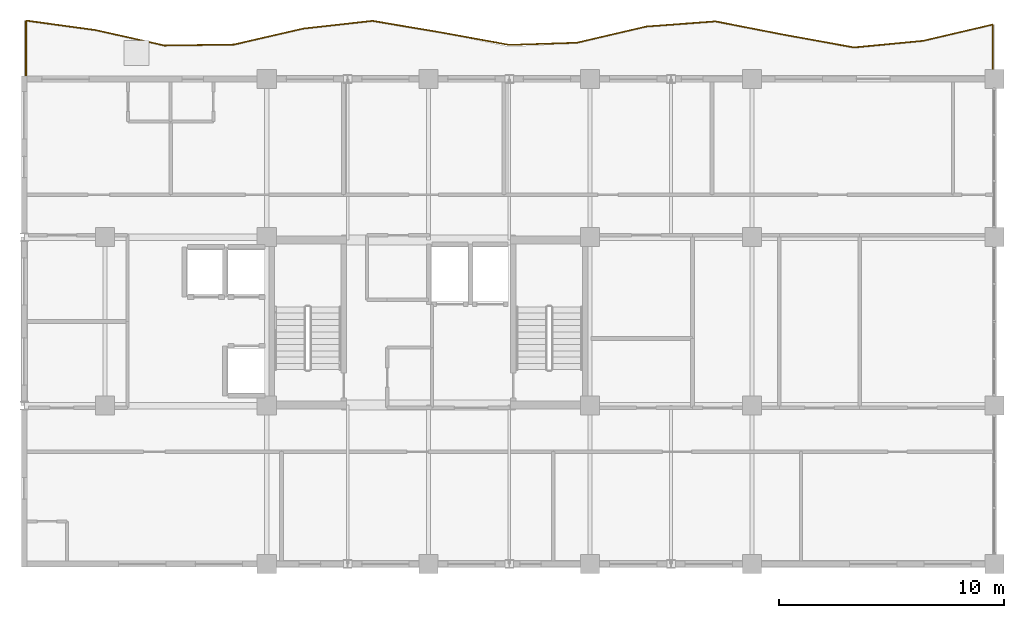
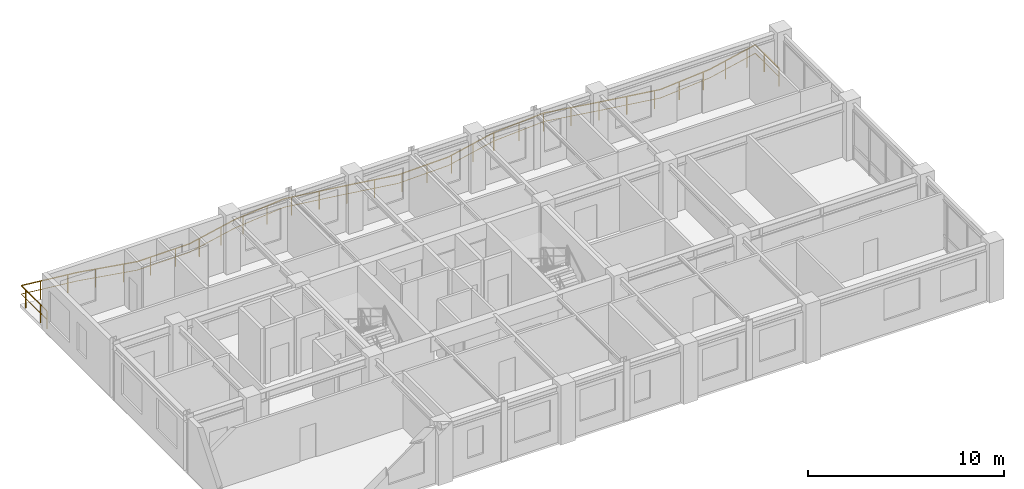
# One storey, part 11 of 11: 1 railing.
"""IFC4 building model written with IfcOpenShell, lengths in metres."""

from ifc_helpers import new_model, si_unit, direction, frame, origin, origin_2d, place, context, subcontext, project, spatial, rectangle, extrude, material, type_object, element, save


model = new_model("IFC4")

# Units and contexts
model_context = context("Model", 3, precision=1e-05, world=origin(), true_north=direction((0.0, 1.0)))
body_context = subcontext(model_context, "Body", "Model", "MODEL_VIEW")
ifc_project = project(units=[si_unit("LENGTHUNIT", "METRE"), si_unit("AREAUNIT", "SQUARE_METRE"), si_unit("VOLUMEUNIT", "CUBIC_METRE"), si_unit("PLANEANGLEUNIT", "RADIAN"), si_unit("MASSUNIT", "GRAM", prefix="KILO")], contexts=[model_context])

# Site, building, storey
site_placement = place(None, origin())
site = spatial("IfcSite", under=ifc_project, at=site_placement, CompositionType="ELEMENT")
building_placement = place(site_placement, origin())
building = spatial("IfcBuilding", under=site, at=building_placement, Name="Kaliganga Portal Commons", CompositionType="ELEMENT")
storey_placement = place(building_placement, frame((0.0, 0.0, 268.39990234375)))
storey = spatial("IfcBuildingStorey", under=building, at=storey_placement, Name="L69", CompositionType="ELEMENT", Elevation=268.39990234375)

# Railing
ifc_material = material(Name="Laminated Safety Glass and Stainless Steel 316", Category="steel")
railing_type = type_object("IfcRailingType", Name="RLG-BAL-1150", PredefinedType="BALUSTRADE", material=ifc_material)
railing_placement = place(storey_placement, frame((46.72021484375, 43.20654296875, 0.0)))
element("IfcRailing", 1, at=railing_placement, inside=storey, type_object=railing_type, Name="Balcony Guardrail L69 balc_north", PredefinedType="BALUSTRADE", context=body_context, shape_type="SweptSolid", body=[
    extrude(rectangle(XDim=0.048095703125, YDim=0.048095703125, at=origin_2d()), frame((0.0, 0.0, 1.1259765625), z_axis=(-0.00010119409, 0.99999999488, 0.0), x_axis=(-0.99999999488, -0.00010119409, 0.0)), (0.0, 0.0, 1.0), 2.41259765625),
    extrude(rectangle(XDim=0.028076171875, YDim=0.028076171875, at=origin_2d()), frame((0.0, 0.0, 0.597900390625), z_axis=(-0.00010119409, 0.99999999488, 0.0), x_axis=(-0.99999999488, -0.00010119409, 0.0)), (0.0, 0.0, 1.0), 2.41259765625),
    extrude(rectangle(XDim=0.048095703125, YDim=0.048095703125, at=origin_2d()), frame((-0.000244140625, 2.41259765625, 1.1259765625), z_axis=(-0.973586620421, -0.228317963678, 0.0), x_axis=(0.228317963678, -0.973586620421, 0.0)), (0.0, 0.0, 1.0), 3.16943359375),
    extrude(rectangle(XDim=0.028076171875, YDim=0.028076171875, at=origin_2d()), frame((-0.000244140625, 2.41259765625, 0.597900390625), z_axis=(-0.973586620421, -0.228317963678, 0.0), x_axis=(0.228317963678, -0.973586620421, 0.0)), (0.0, 0.0, 1.0), 3.16943359375),
    extrude(rectangle(XDim=0.048095703125, YDim=0.048095703125, at=origin_2d()), frame((-3.0859375, 1.68896484375, 1.1259765625), z_axis=(-0.995441151966, -0.095377738352, 0.0), x_axis=(0.095377738352, -0.995441151966, 0.0)), (0.0, 0.0, 1.0), 3.099853515625),
    extrude(rectangle(XDim=0.028076171875, YDim=0.028076171875, at=origin_2d()), frame((-3.0859375, 1.68896484375, 0.597900390625), z_axis=(-0.995441151966, -0.095377738352, 0.0), x_axis=(0.095377738352, -0.995441151966, 0.0)), (0.0, 0.0, 1.0), 3.099853515625),
    extrude(rectangle(XDim=0.048095703125, YDim=0.048095703125, at=origin_2d()), frame((-6.171630859375, 1.393310546875, 1.1259765625), z_axis=(-0.983938345407, 0.178508634071, 0.0), x_axis=(-0.178508634071, -0.983938345407, 0.0)), (0.0, 0.0, 1.0), 3.135986328125),
    extrude(rectangle(XDim=0.028076171875, YDim=0.028076171875, at=origin_2d()), frame((-6.171630859375, 1.393310546875, 0.597900390625), z_axis=(-0.983938345407, 0.178508634071, 0.0), x_axis=(-0.178508634071, -0.983938345407, 0.0)), (0.0, 0.0, 1.0), 3.135986328125),
    extrude(rectangle(XDim=0.048095703125, YDim=0.048095703125, at=origin_2d()), frame((-9.25732421875, 1.953125, 1.1259765625), z_axis=(-0.981548229845, 0.191214728745, 0.0), x_axis=(-0.191214728745, -0.981548229845, 0.0)), (0.0, 0.0, 1.0), 3.1435546875),
    extrude(rectangle(XDim=0.028076171875, YDim=0.028076171875, at=origin_2d()), frame((-9.25732421875, 1.953125, 0.597900390625), z_axis=(-0.981548229845, 0.191214728745, 0.0), x_axis=(-0.191214728745, -0.981548229845, 0.0)), (0.0, 0.0, 1.0), 3.1435546875),
    extrude(rectangle(XDim=0.048095703125, YDim=0.048095703125, at=origin_2d()), frame((-12.3427734375, 2.55419921875, 1.1259765625), z_axis=(-0.997228216015, -0.07440352937, 0.0), x_axis=(0.07440352937, -0.997228216015, 0.0)), (0.0, 0.0, 1.0), 3.09423828125),
    extrude(rectangle(XDim=0.028076171875, YDim=0.028076171875, at=origin_2d()), frame((-12.3427734375, 2.55419921875, 0.597900390625), z_axis=(-0.997228216015, -0.07440352937, 0.0), x_axis=(0.07440352937, -0.997228216015, 0.0)), (0.0, 0.0, 1.0), 3.09423828125),
    extrude(rectangle(XDim=0.048095703125, YDim=0.048095703125, at=origin_2d()), frame((-15.428466796875, 2.323974609375, 1.1259765625), z_axis=(-0.973744521391, -0.227643596575, 0.0), x_axis=(0.227643596575, -0.973744521391, 0.0)), (0.0, 0.0, 1.0), 3.169189453125),
    extrude(rectangle(XDim=0.028076171875, YDim=0.028076171875, at=origin_2d()), frame((-15.428466796875, 2.323974609375, 0.597900390625), z_axis=(-0.973744521391, -0.227643596575, 0.0), x_axis=(0.227643596575, -0.973744521391, 0.0)), (0.0, 0.0, 1.0), 3.169189453125),
    extrude(rectangle(XDim=0.048095703125, YDim=0.048095703125, at=origin_2d()), frame((-18.514404296875, 1.6025390625, 1.1259765625), z_axis=(-0.999480536184, -0.03222821417, 0.0), x_axis=(0.03222821417, -0.999480536184, 0.0)), (0.0, 0.0, 1.0), 3.00732421875),
    extrude(rectangle(XDim=0.028076171875, YDim=0.028076171875, at=origin_2d()), frame((-18.514404296875, 1.6025390625, 0.597900390625), z_axis=(-0.999480536184, -0.03222821417, 0.0), x_axis=(0.03222821417, -0.999480536184, 0.0)), (0.0, 0.0, 1.0), 3.00732421875),
    extrude(rectangle(XDim=0.048095703125, YDim=0.048095703125, at=origin_2d()), frame((-21.520263671875, 1.505615234375, 1.1259765625), z_axis=(-0.983668610771, 0.179989066845, 0.0), x_axis=(-0.179989066845, -0.983668610771, 0.0)), (0.0, 0.0, 1.0), 3.055908203125),
    extrude(rectangle(XDim=0.028076171875, YDim=0.028076171875, at=origin_2d()), frame((-21.520263671875, 1.505615234375, 0.597900390625), z_axis=(-0.983668610771, 0.179989066845, 0.0), x_axis=(-0.179989066845, -0.983668610771, 0.0)), (0.0, 0.0, 1.0), 3.055908203125),
    extrude(rectangle(XDim=0.048095703125, YDim=0.048095703125, at=origin_2d()), frame((-24.5263671875, 2.0556640625, 1.1259765625), z_axis=(-0.986071567883, 0.166321565089, 0.0), x_axis=(-0.166321565089, -0.986071567883, 0.0)), (0.0, 0.0, 1.0), 3.129638671875),
    extrude(rectangle(XDim=0.028076171875, YDim=0.028076171875, at=origin_2d()), frame((-24.5263671875, 2.0556640625, 0.597900390625), z_axis=(-0.986071567883, 0.166321565089, 0.0), x_axis=(-0.166321565089, -0.986071567883, 0.0)), (0.0, 0.0, 1.0), 3.129638671875),
    extrude(rectangle(XDim=0.048095703125, YDim=0.048095703125, at=origin_2d()), frame((-27.6123046875, 2.576171875, 1.1259765625), z_axis=(-0.993841462155, -0.110811317573, 0.0), x_axis=(0.110811317573, -0.993841462155, 0.0)), (0.0, 0.0, 1.0), 3.104248046875),
    extrude(rectangle(XDim=0.028076171875, YDim=0.028076171875, at=origin_2d()), frame((-27.6123046875, 2.576171875, 0.597900390625), z_axis=(-0.993841462155, -0.110811317573, 0.0), x_axis=(0.110811317573, -0.993841462155, 0.0)), (0.0, 0.0, 1.0), 3.104248046875),
    extrude(rectangle(XDim=0.048095703125, YDim=0.048095703125, at=origin_2d()), frame((-30.697509765625, 2.232177734375, 1.1259765625), z_axis=(-0.974520984007, -0.224296348008, 0.0), x_axis=(0.224296348008, -0.974520984007, 0.0)), (0.0, 0.0, 1.0), 3.166259765625),
    extrude(rectangle(XDim=0.028076171875, YDim=0.028076171875, at=origin_2d()), frame((-30.697509765625, 2.232177734375, 0.597900390625), z_axis=(-0.974520984007, -0.224296348008, 0.0), x_axis=(0.224296348008, -0.974520984007, 0.0)), (0.0, 0.0, 1.0), 3.166259765625),
    extrude(rectangle(XDim=0.048095703125, YDim=0.048095703125, at=origin_2d()), frame((-33.783203125, 1.52197265625, 1.1259765625), z_axis=(-0.999904157478, -0.013844705084, 0.0), x_axis=(0.013844705084, -0.999904157478, 0.0)), (0.0, 0.0, 1.0), 3.0859375),
    extrude(rectangle(XDim=0.028076171875, YDim=0.028076171875, at=origin_2d()), frame((-33.783203125, 1.52197265625, 0.597900390625), z_axis=(-0.999904157478, -0.013844705084, 0.0), x_axis=(0.013844705084, -0.999904157478, 0.0)), (0.0, 0.0, 1.0), 3.0859375),
    extrude(rectangle(XDim=0.048095703125, YDim=0.048095703125, at=origin_2d()), frame((-36.868896484375, 1.479248046875, 1.1259765625), z_axis=(-0.975968537551, 0.217911481365, 0.0), x_axis=(-0.217911481365, -0.975968537551, 0.0)), (0.0, 0.0, 1.0), 3.16162109375),
    extrude(rectangle(XDim=0.028076171875, YDim=0.028076171875, at=origin_2d()), frame((-36.868896484375, 1.479248046875, 0.597900390625), z_axis=(-0.975968537551, 0.217911481365, 0.0), x_axis=(-0.217911481365, -0.975968537551, 0.0)), (0.0, 0.0, 1.0), 3.16162109375),
    extrude(rectangle(XDim=0.048095703125, YDim=0.048095703125, at=origin_2d()), frame((-39.95458984375, 2.168212890625, 1.1259765625), z_axis=(-0.990782882157, 0.135459515814, 0.0), x_axis=(-0.135459515814, -0.990782882157, 0.0)), (0.0, 0.0, 1.0), 3.114501953125),
    extrude(rectangle(XDim=0.028076171875, YDim=0.028076171875, at=origin_2d()), frame((-39.95458984375, 2.168212890625, 0.597900390625), z_axis=(-0.990782882157, 0.135459515814, 0.0), x_axis=(-0.135459515814, -0.990782882157, 0.0)), (0.0, 0.0, 1.0), 3.114501953125),
    extrude(rectangle(XDim=0.048095703125, YDim=0.048095703125, at=origin_2d()), frame((-43.040283203125, 2.590087890625, 1.1259765625), z_axis=(-9.425959e-05, -0.999999995558, 0.0), x_axis=(0.999999995558, -9.425959e-05, 0.0)), (0.0, 0.0, 1.0), 2.590087890625),
    extrude(rectangle(XDim=0.028076171875, YDim=0.028076171875, at=origin_2d()), frame((-43.040283203125, 2.590087890625, 0.597900390625), z_axis=(-9.425959e-05, -0.999999995558, 0.0), x_axis=(0.999999995558, -9.425959e-05, 0.0)), (0.0, 0.0, 1.0), 2.590087890625),
    extrude(rectangle(XDim=0.0419921875, YDim=0.0419921875, at=origin_2d()), origin(), (0.0, 0.0, 1.0), 1.101806640625),
    extrude(rectangle(XDim=0.0419921875, YDim=0.0419921875, at=origin_2d()), frame((-0.000244140625, 1.5, 0.0)), (0.0, 0.0, 1.0), 1.101806640625),
    extrude(rectangle(XDim=0.0419921875, YDim=0.0419921875, at=origin_2d()), frame((-0.572021484375, 2.278564453125, 0.0)), (0.0, 0.0, 1.0), 1.101806640625),
    extrude(rectangle(XDim=0.0419921875, YDim=0.0419921875, at=origin_2d()), frame((-2.032470703125, 1.93603515625, 0.0)), (0.0, 0.0, 1.0), 1.101806640625),
    extrude(rectangle(XDim=0.0419921875, YDim=0.0419921875, at=origin_2d()), frame((-3.501953125, 1.649169921875, 0.0)), (0.0, 0.0, 1.0), 1.101806640625),
    extrude(rectangle(XDim=0.0419921875, YDim=0.0419921875, at=origin_2d()), frame((-4.9951171875, 1.506103515625, 0.0)), (0.0, 0.0, 1.0), 1.101806640625),
    extrude(rectangle(XDim=0.0419921875, YDim=0.0419921875, at=origin_2d()), frame((-6.484619140625, 1.4501953125, 0.0)), (0.0, 0.0, 1.0), 1.101806640625),
    extrude(rectangle(XDim=0.0419921875, YDim=0.0419921875, at=origin_2d()), frame((-7.960693359375, 1.7177734375, 0.0)), (0.0, 0.0, 1.0), 1.101806640625),
    extrude(rectangle(XDim=0.0419921875, YDim=0.0419921875, at=origin_2d()), frame((-9.43603515625, 1.988037109375, 0.0)), (0.0, 0.0, 1.0), 1.101806640625),
    extrude(rectangle(XDim=0.0419921875, YDim=0.0419921875, at=origin_2d()), frame((-10.908447265625, 2.274658203125, 0.0)), (0.0, 0.0, 1.0), 1.101806640625),
    extrude(rectangle(XDim=0.0419921875, YDim=0.0419921875, at=origin_2d()), frame((-12.38134765625, 2.55126953125, 0.0)), (0.0, 0.0, 1.0), 1.101806640625),
    extrude(rectangle(XDim=0.0419921875, YDim=0.0419921875, at=origin_2d()), frame((-13.877197265625, 2.439697265625, 0.0)), (0.0, 0.0, 1.0), 1.101806640625),
    extrude(rectangle(XDim=0.0419921875, YDim=0.0419921875, at=origin_2d()), frame((-15.428466796875, 2.323974609375, 0.0)), (0.0, 0.0, 1.0), 1.101806640625),
    extrude(rectangle(XDim=0.0419921875, YDim=0.0419921875, at=origin_2d()), frame((-16.8349609375, 1.9951171875, 0.0)), (0.0, 0.0, 1.0), 1.101806640625),
    extrude(rectangle(XDim=0.0419921875, YDim=0.0419921875, at=origin_2d()), frame((-18.295654296875, 1.65380859375, 0.0)), (0.0, 0.0, 1.0), 1.101806640625),
    extrude(rectangle(XDim=0.0419921875, YDim=0.0419921875, at=origin_2d()), frame((-19.7890625, 1.5615234375, 0.0)), (0.0, 0.0, 1.0), 1.101806640625),
    extrude(rectangle(XDim=0.0419921875, YDim=0.0419921875, at=origin_2d()), frame((-21.2880859375, 1.51318359375, 0.0)), (0.0, 0.0, 1.0), 1.101806640625),
    extrude(rectangle(XDim=0.0419921875, YDim=0.0419921875, at=origin_2d()), frame((-22.767333984375, 1.73388671875, 0.0)), (0.0, 0.0, 1.0), 1.101806640625),
    extrude(rectangle(XDim=0.0419921875, YDim=0.0419921875, at=origin_2d()), frame((-24.242919921875, 2.00390625, 0.0)), (0.0, 0.0, 1.0), 1.101806640625),
    extrude(rectangle(XDim=0.0419921875, YDim=0.0419921875, at=origin_2d()), frame((-25.72119140625, 2.25732421875, 0.0)), (0.0, 0.0, 1.0), 1.101806640625),
    extrude(rectangle(XDim=0.0419921875, YDim=0.0419921875, at=origin_2d()), frame((-27.200439453125, 2.506591796875, 0.0)), (0.0, 0.0, 1.0), 1.101806640625),
    extrude(rectangle(XDim=0.0419921875, YDim=0.0419921875, at=origin_2d()), frame((-28.68798828125, 2.456298828125, 0.0)), (0.0, 0.0, 1.0), 1.101806640625),
    extrude(rectangle(XDim=0.0419921875, YDim=0.0419921875, at=origin_2d()), frame((-30.1787109375, 2.2900390625, 0.0)), (0.0, 0.0, 1.0), 1.101806640625),
    extrude(rectangle(XDim=0.0419921875, YDim=0.0419921875, at=origin_2d()), frame((-31.650634765625, 2.012939453125, 0.0)), (0.0, 0.0, 1.0), 1.101806640625),
    extrude(rectangle(XDim=0.0419921875, YDim=0.0419921875, at=origin_2d()), frame((-33.1123046875, 1.67626953125, 0.0)), (0.0, 0.0, 1.0), 1.101806640625),
    extrude(rectangle(XDim=0.0419921875, YDim=0.0419921875, at=origin_2d()), frame((-34.5947265625, 1.5107421875, 0.0)), (0.0, 0.0, 1.0), 1.101806640625),
    extrude(rectangle(XDim=0.0419921875, YDim=0.0419921875, at=origin_2d()), frame((-36.094482421875, 1.489990234375, 0.0)), (0.0, 0.0, 1.0), 1.101806640625),
    extrude(rectangle(XDim=0.0419921875, YDim=0.0419921875, at=origin_2d()), frame((-37.5771484375, 1.637451171875, 0.0)), (0.0, 0.0, 1.0), 1.101806640625),
    extrude(rectangle(XDim=0.0419921875, YDim=0.0419921875, at=origin_2d()), frame((-39.041015625, 1.964111328125, 0.0)), (0.0, 0.0, 1.0), 1.101806640625),
    extrude(rectangle(XDim=0.0419921875, YDim=0.0419921875, at=origin_2d()), frame((-40.513427734375, 2.24462890625, 0.0)), (0.0, 0.0, 1.0), 1.101806640625),
    extrude(rectangle(XDim=0.0419921875, YDim=0.0419921875, at=origin_2d()), frame((-41.99951171875, 2.44775390625, 0.0)), (0.0, 0.0, 1.0), 1.101806640625),
    extrude(rectangle(XDim=0.0419921875, YDim=0.0419921875, at=origin_2d()), frame((-43.040283203125, 2.140625, 0.0)), (0.0, 0.0, 1.0), 1.101806640625),
    extrude(rectangle(XDim=0.0419921875, YDim=0.0419921875, at=origin_2d()), frame((-43.04052734375, 0.640625, 0.0)), (0.0, 0.0, 1.0), 1.101806640625),
    extrude(rectangle(XDim=0.0419921875, YDim=0.0419921875, at=origin_2d()), frame((-43.04052734375, 0.0, 0.0)), (0.0, 0.0, 1.0), 1.101806640625),
])

save(model, "model.ifc")
